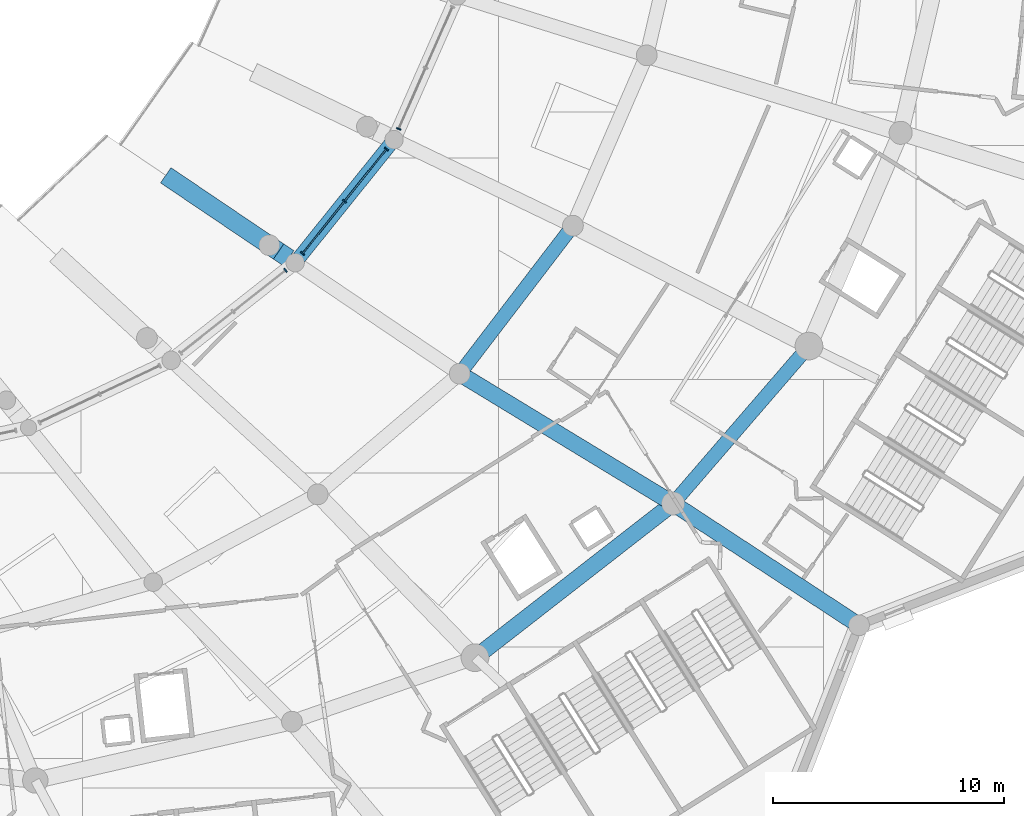
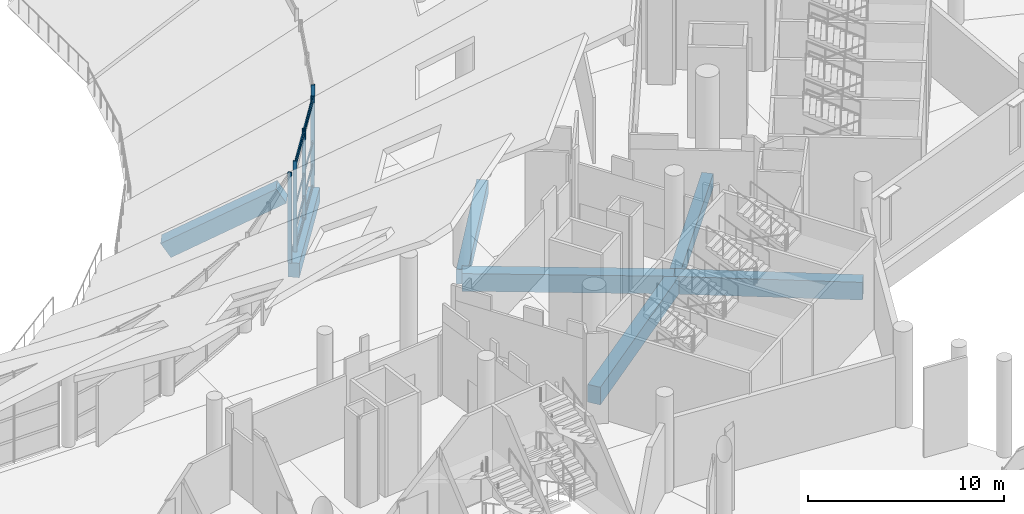
# One storey, part 36 of 249: 15 members, 7 beams, 3 elements without a shape of their own.
"""IFC4 building model written with IfcOpenShell, lengths in metres."""

from ifc_helpers import new_model, si_unit, direction, frame, origin, origin_2d, place, context, subcontext, project, spatial, rectangle, extrude, material, layer, layer_set, material_profile, profile_set, type_object, element, aggregate, save


model = new_model("IFC4")

# Units and contexts
model_context = context("Model", 3, precision=1e-05, world=origin(), true_north=direction((0.0, 1.0)))
body_context = subcontext(model_context, "Body", "Model", "MODEL_VIEW")
ifc_project = project(units=[si_unit("LENGTHUNIT", "METRE"), si_unit("AREAUNIT", "SQUARE_METRE"), si_unit("VOLUMEUNIT", "CUBIC_METRE"), si_unit("PLANEANGLEUNIT", "RADIAN"), si_unit("MASSUNIT", "GRAM", prefix="KILO")], contexts=[model_context])

# Site, building, storey
site_placement = place(None, origin())
site = spatial("IfcSite", under=ifc_project, at=site_placement, CompositionType="ELEMENT")
building_placement = place(site_placement, origin())
building = spatial("IfcBuilding", under=site, at=building_placement, Name="Meseta Stadium", CompositionType="ELEMENT")
storey_placement = place(building_placement, frame((0.0, 0.0, 12.0)))
storey = spatial("IfcBuildingStorey", under=building, at=storey_placement, Name="L02", CompositionType="ELEMENT", Elevation=12.0)

# Curtain wall, member
ifc_material_1 = material(Name="Aluminium", Category="aluminium")
ifc_layer = layer(ifc_material_1, 0.199951171875)
ifc_layer_set = layer_set([ifc_layer], Name="Suite glazing curtain wall")
curtain_wall_type = type_object("IfcCurtainWallType", Name="Suite glazing curtain wall", PredefinedType="NOTDEFINED", material=ifc_layer_set)
curtain_wall_1_placement = place(storey_placement, origin())
curtain_wall_1 = element("IfcCurtainWall", 1, at=curtain_wall_1_placement, inside=storey, type_object=curtain_wall_type, Name="Suite glazing bay 52", PredefinedType="NOTDEFINED")
ifc_material_2 = material(Name="Aluminium", Category="aluminium")
ifc_material_profile_1 = material_profile(ifc_material_2, rectangle(XDim=0.199951171875, YDim=0.06005859375, at=origin_2d()), Name="CW 200x60")
ifc_profile_set_1 = profile_set([ifc_material_profile_1], Name="Aluminium")
member_type_1 = type_object("IfcMemberType", Name="CW mullion 60x200", PredefinedType="MULLION", material=ifc_profile_set_1)
member_1_placement = place(storey_placement, frame((55.521728515625, -68.98779296875, 0.0), z_axis=(0.0, 0.0, 1.0), x_axis=(-0.61894425509, 0.785434917158, 0.0)))
member_1 = element("IfcMember", 2, at=member_1_placement, type_object=member_type_1, Name="CWS mullion 3", PredefinedType="MULLION", context=body_context, shape_type="SweptSolid", body=[
    extrude(rectangle(XDim=0.199951171875, YDim=0.06005859375, at=origin_2d()), origin(), (0.0, 0.0, 1.0), 5.64990234375),
])
aggregate(curtain_wall_1, [member_1])

# Curtain wall, members
curtain_wall_2_placement = place(storey_placement, origin())
curtain_wall_2 = element("IfcCurtainWall", 3, at=curtain_wall_2_placement, inside=storey, type_object=curtain_wall_type, Name="Suite glazing bay 53", PredefinedType="NOTDEFINED")
member_2_placement = place(storey_placement, frame((56.26025390625, -68.260009765625, 0.0), z_axis=(0.0, 0.0, 1.0), x_axis=(-0.779453526357, 0.626460054791, 0.0)))
member_2 = element("IfcMember", 4, at=member_2_placement, type_object=member_type_1, Name="CWS mullion 1", PredefinedType="MULLION", context=body_context, shape_type="SweptSolid", body=[
    extrude(rectangle(XDim=0.199951171875, YDim=0.06005859375, at=origin_2d()), origin(), (0.0, 0.0, 1.0), 5.64990234375),
])
member_3_placement = place(storey_placement, frame((58.07763671875, -65.998779296875, 0.0), z_axis=(0.0, 0.0, 1.0), x_axis=(-0.779453526357, 0.626460054791, 0.0)))
member_3 = element("IfcMember", 5, at=member_3_placement, type_object=member_type_1, Name="CWS mullion 2", PredefinedType="MULLION", context=body_context, shape_type="SweptSolid", body=[
    extrude(rectangle(XDim=0.199951171875, YDim=0.06005859375, at=origin_2d()), origin(), (0.0, 0.0, 1.0), 5.64990234375),
])
member_4_placement = place(storey_placement, frame((59.895263671875, -63.7373046875, 0.0), z_axis=(0.0, 0.0, 1.0), x_axis=(-0.779453526357, 0.626460054791, 0.0)))
member_4 = element("IfcMember", 6, at=member_4_placement, type_object=member_type_1, Name="CWS mullion 3", PredefinedType="MULLION", context=body_context, shape_type="SweptSolid", body=[
    extrude(rectangle(XDim=0.199951171875, YDim=0.06005859375, at=origin_2d()), origin(), (0.0, 0.0, 1.0), 5.64990234375),
])

# Curtain wall, member
curtain_wall_3_placement = place(storey_placement, origin())
curtain_wall_3 = element("IfcCurtainWall", 7, at=curtain_wall_3_placement, inside=storey, type_object=curtain_wall_type, Name="Suite glazing bay 54", PredefinedType="NOTDEFINED")
member_5_placement = place(storey_placement, frame((60.42724609375, -62.864501953125, 0.0), z_axis=(0.0, 0.0, 1.0), x_axis=(-0.915207323968, 0.402983317466, 0.0)))
member_5 = element("IfcMember", 8, at=member_5_placement, type_object=member_type_1, Name="CWS mullion 1", PredefinedType="MULLION", context=body_context, shape_type="SweptSolid", body=[
    extrude(rectangle(XDim=0.199951171875, YDim=0.06005859375, at=origin_2d()), origin(), (0.0, 0.0, 1.0), 5.64990234375),
])
aggregate(curtain_wall_3, [member_5])

# Member
ifc_material_3 = material(Name="Aluminium", Category="aluminium")
ifc_material_profile_2 = material_profile(ifc_material_3, rectangle(XDim=0.06005859375, YDim=0.14990234375, at=origin_2d()), Name="CW 60x150")
ifc_profile_set_2 = profile_set([ifc_material_profile_2], Name="Aluminium")
member_type_2 = type_object("IfcMemberType", Name="CW transom 60x150", PredefinedType="USERDEFINED", material=ifc_profile_set_2)
member_6_placement = place(storey_placement, frame((56.279052734375, -68.23681640625, 0.074951171875), z_axis=(0.626391108316, 0.779508934793, 0.0), x_axis=(-0.779508934793, 0.626391108316, 0.0)))
member_6 = element("IfcMember", 9, at=member_6_placement, type_object=member_type_2, Name="CWS transom 1.1", ObjectType="TRANSOM", PredefinedType="USERDEFINED", context=body_context, shape_type="SweptSolid", body=[
    extrude(rectangle(XDim=0.06005859375, YDim=0.14990234375, at=origin_2d()), origin(), (0.0, 0.0, 1.0), 2.84130859375),
])

member_7_placement = place(storey_placement, frame((56.279052734375, -68.23681640625, 1.41259765625), z_axis=(0.626391108316, 0.779508934793, 0.0), x_axis=(-0.779508934793, 0.626391108316, 0.0)))
member_7 = element("IfcMember", 10, at=member_7_placement, type_object=member_type_2, Name="CWS transom 1.2", ObjectType="TRANSOM", PredefinedType="USERDEFINED", context=body_context, shape_type="SweptSolid", body=[
    extrude(rectangle(XDim=0.06005859375, YDim=0.14990234375, at=origin_2d()), origin(), (0.0, 0.0, 1.0), 2.84130859375),
])

member_8_placement = place(storey_placement, frame((56.279052734375, -68.23681640625, 2.824951171875), z_axis=(0.626391108316, 0.779508934793, 0.0), x_axis=(-0.779508934793, 0.626391108316, 0.0)))
member_8 = element("IfcMember", 11, at=member_8_placement, type_object=member_type_2, Name="CWS transom 1.3", ObjectType="TRANSOM", PredefinedType="USERDEFINED", context=body_context, shape_type="SweptSolid", body=[
    extrude(rectangle(XDim=0.06005859375, YDim=0.14990234375, at=origin_2d()), origin(), (0.0, 0.0, 1.0), 2.84130859375),
])

member_9_placement = place(storey_placement, frame((56.279052734375, -68.23681640625, 5.307373046875), z_axis=(0.626391108316, 0.779508934793, 0.0), x_axis=(-0.779508934793, 0.626391108316, 0.0)))
member_9 = element("IfcMember", 12, at=member_9_placement, type_object=member_type_2, Name="CWS transom 1.4", ObjectType="TRANSOM", PredefinedType="USERDEFINED", context=body_context, shape_type="SweptSolid", body=[
    extrude(rectangle(XDim=0.06005859375, YDim=0.14990234375, at=origin_2d()), origin(), (0.0, 0.0, 1.0), 2.84130859375),
])

member_10_placement = place(storey_placement, frame((56.279052734375, -68.23681640625, 5.574951171875), z_axis=(0.626391108316, 0.779508934793, 0.0), x_axis=(-0.779508934793, 0.626391108316, 0.0)))
member_10 = element("IfcMember", 13, at=member_10_placement, type_object=member_type_2, Name="CWS transom 1.5", ObjectType="TRANSOM", PredefinedType="USERDEFINED", context=body_context, shape_type="SweptSolid", body=[
    extrude(rectangle(XDim=0.06005859375, YDim=0.14990234375, at=origin_2d()), origin(), (0.0, 0.0, 1.0), 2.84130859375),
])

member_11_placement = place(storey_placement, frame((58.096435546875, -65.975341796875, 0.074951171875), z_axis=(0.626443314889, 0.779466980205, 0.0), x_axis=(-0.779466980205, 0.626443314889, 0.0)))
member_11 = element("IfcMember", 14, at=member_11_placement, type_object=member_type_2, Name="CWS transom 2.1", ObjectType="TRANSOM", PredefinedType="USERDEFINED", context=body_context, shape_type="SweptSolid", body=[
    extrude(rectangle(XDim=0.06005859375, YDim=0.14990234375, at=origin_2d()), origin(), (0.0, 0.0, 1.0), 2.841552734375),
])

member_12_placement = place(storey_placement, frame((58.096435546875, -65.975341796875, 1.41259765625), z_axis=(0.626443314889, 0.779466980205, 0.0), x_axis=(-0.779466980205, 0.626443314889, 0.0)))
member_12 = element("IfcMember", 15, at=member_12_placement, type_object=member_type_2, Name="CWS transom 2.2", ObjectType="TRANSOM", PredefinedType="USERDEFINED", context=body_context, shape_type="SweptSolid", body=[
    extrude(rectangle(XDim=0.06005859375, YDim=0.14990234375, at=origin_2d()), origin(), (0.0, 0.0, 1.0), 2.841552734375),
])

member_13_placement = place(storey_placement, frame((58.096435546875, -65.975341796875, 2.824951171875), z_axis=(0.626443314889, 0.779466980205, 0.0), x_axis=(-0.779466980205, 0.626443314889, 0.0)))
member_13 = element("IfcMember", 16, at=member_13_placement, type_object=member_type_2, Name="CWS transom 2.3", ObjectType="TRANSOM", PredefinedType="USERDEFINED", context=body_context, shape_type="SweptSolid", body=[
    extrude(rectangle(XDim=0.06005859375, YDim=0.14990234375, at=origin_2d()), origin(), (0.0, 0.0, 1.0), 2.841552734375),
])

member_14_placement = place(storey_placement, frame((58.096435546875, -65.975341796875, 5.307373046875), z_axis=(0.626443314889, 0.779466980205, 0.0), x_axis=(-0.779466980205, 0.626443314889, 0.0)))
member_14 = element("IfcMember", 17, at=member_14_placement, type_object=member_type_2, Name="CWS transom 2.4", ObjectType="TRANSOM", PredefinedType="USERDEFINED", context=body_context, shape_type="SweptSolid", body=[
    extrude(rectangle(XDim=0.06005859375, YDim=0.14990234375, at=origin_2d()), origin(), (0.0, 0.0, 1.0), 2.841552734375),
])

member_15_placement = place(storey_placement, frame((58.096435546875, -65.975341796875, 5.574951171875), z_axis=(0.626443314889, 0.779466980205, 0.0), x_axis=(-0.779466980205, 0.626443314889, 0.0)))
member_15 = element("IfcMember", 18, at=member_15_placement, type_object=member_type_2, Name="CWS transom 2.5", ObjectType="TRANSOM", PredefinedType="USERDEFINED", context=body_context, shape_type="SweptSolid", body=[
    extrude(rectangle(XDim=0.06005859375, YDim=0.14990234375, at=origin_2d()), origin(), (0.0, 0.0, 1.0), 2.841552734375),
])

aggregate(curtain_wall_2, [member_2, member_3, member_4, member_6, member_7, member_8, member_9, member_10, member_11, member_12, member_13, member_14, member_15])

# Beams
ifc_material_4 = material(Name="Concrete C40/50", Category="concrete")
ifc_material_profile_3 = material_profile(ifc_material_4, rectangle(XDim=0.60009765625, YDim=0.89990234375, at=origin_2d()), Name="RC 600x900")
ifc_profile_set_3 = profile_set([ifc_material_profile_3], Name="Concrete C40/50")
beam_type_1 = type_object("IfcBeamType", Name="RC beam 600x900", PredefinedType="BEAM", material=ifc_profile_set_3)
beam_1_placement = place(storey_placement, frame((55.940185546875, -68.658203125, -0.800048828125), z_axis=(0.626466293445, 0.779448512204, 0.0), x_axis=(-0.779448512204, 0.626466293445, 0.0)))
element("IfcBeam", 19, at=beam_1_placement, inside=storey, type_object=beam_type_1, Name="L02 ring beam frame 53 line D", PredefinedType="BEAM", context=body_context, shape_type="SweptSolid", body=[
    extrude(rectangle(XDim=0.60009765625, YDim=0.89990234375, at=origin_2d()), origin(), (0.0, 0.0, 1.0), 6.835205078125),
])
beam_2_placement = place(storey_placement, frame((63.068115234375, -73.469970703125, -0.800048828125), z_axis=(0.607521948786, 0.794302890428, 0.0), x_axis=(-0.794302890428, 0.607521948786, 0.0)))
element("IfcBeam", 20, at=beam_2_placement, inside=storey, type_object=beam_type_1, Name="L02 ring beam frame 53 line E", PredefinedType="BEAM", context=body_context, shape_type="SweptSolid", body=[
    extrude(rectangle(XDim=0.60009765625, YDim=0.89990234375, at=origin_2d()), origin(), (0.0, 0.0, 1.0), 8.072509765625),
])
beam_3_placement = place(storey_placement, frame((72.31201171875, -79.091064453125, -0.800048828125), z_axis=(0.653414508663, 0.757000316954, 0.0), x_axis=(-0.757000316954, 0.653414508663, 0.0)))
element("IfcBeam", 21, at=beam_3_placement, inside=storey, type_object=beam_type_1, Name="L02 ring beam frame 53 line P", PredefinedType="BEAM", context=body_context, shape_type="SweptSolid", body=[
    extrude(rectangle(XDim=0.60009765625, YDim=0.89990234375, at=origin_2d()), origin(), (0.0, 0.0, 1.0), 9.008056640625),
])
ifc_material_5 = material(Name="Concrete C40/50", Category="concrete")
ifc_material_profile_4 = material_profile(ifc_material_5, rectangle(XDim=0.699951171875, YDim=1.10009765625, at=origin_2d()), Name="RC 700x1100")
ifc_profile_set_4 = profile_set([ifc_material_profile_4], Name="Concrete C40/50")
beam_type_2 = type_object("IfcBeamType", Name="RC beam 700x1100", PredefinedType="BEAM", material=ifc_profile_set_4)
beam_4_placement = place(storey_placement, frame((63.731201171875, -85.77099609375, -0.89990234375), z_axis=(0.789086185012, 0.614282502293, 0.0), x_axis=(-0.614282502293, 0.789086185012, 0.0)))
element("IfcBeam", 22, at=beam_4_placement, inside=storey, type_object=beam_type_2, Name="L02 ring beam frame 52 line P", PredefinedType="BEAM", context=body_context, shape_type="SweptSolid", body=[
    extrude(rectangle(XDim=0.699951171875, YDim=1.10009765625, at=origin_2d()), origin(), (0.0, 0.0, 1.0), 10.874267578125),
])
beam_5_placement = place(storey_placement, frame((63.068115234375, -73.469970703125, -0.89990234375), z_axis=(0.854429426189, -0.519567469788, 0.0), x_axis=(0.519567469788, 0.854429426189, 0.0)))
element("IfcBeam", 23, at=beam_5_placement, inside=storey, type_object=beam_type_2, Name="L02 radial beam frame 53 line E to P", PredefinedType="BEAM", context=body_context, shape_type="SweptSolid", body=[
    extrude(rectangle(XDim=0.699951171875, YDim=1.10009765625, at=origin_2d()), origin(), (0.0, 0.0, 1.0), 10.81884765625),
])
beam_6_placement = place(storey_placement, frame((72.31201171875, -79.091064453125, -0.89990234375), z_axis=(0.836556122728, -0.547881240349, 0.0), x_axis=(0.547881240349, 0.836556122728, 0.0)))
element("IfcBeam", 24, at=beam_6_placement, inside=storey, type_object=beam_type_2, Name="L02 radial beam frame 53 line P to R", PredefinedType="BEAM", context=body_context, shape_type="SweptSolid", body=[
    extrude(rectangle(XDim=0.699951171875, YDim=1.10009765625, at=origin_2d()), origin(), (0.0, 0.0, 1.0), 9.626953125),
])
ifc_material_6 = material(Name="Concrete C40/50", Category="concrete")
ifc_material_profile_5 = material_profile(ifc_material_6, rectangle(XDim=0.800048828125, YDim=1.0, at=origin_2d()), Name="RC 800x1000")
ifc_profile_set_5 = profile_set([ifc_material_profile_5], Name="Concrete C40/50")
beam_type_3 = type_object("IfcBeamType", Name="RC raker upper front 800x1000", PredefinedType="USERDEFINED", material=ifc_profile_set_5)
beam_7_placement = place(storey_placement, frame((50.552978515625, -65.021240234375, 0.368896484375), z_axis=(0.703348599251, -0.474821755321, 0.529003826646), x_axis=(0.559522600804, 0.828815093485, 0.0)))
element("IfcBeam", 25, at=beam_7_placement, inside=storey, type_object=beam_type_3, Name="Raker upper front frame 53 upper tier", ObjectType="RAKER", PredefinedType="USERDEFINED", context=body_context, shape_type="SweptSolid", body=[
    extrude(rectangle(XDim=0.800048828125, YDim=1.0, at=origin_2d()), origin(), (0.0, 0.0, 1.0), 6.95263671875),
])

save(model, "model.ifc")
